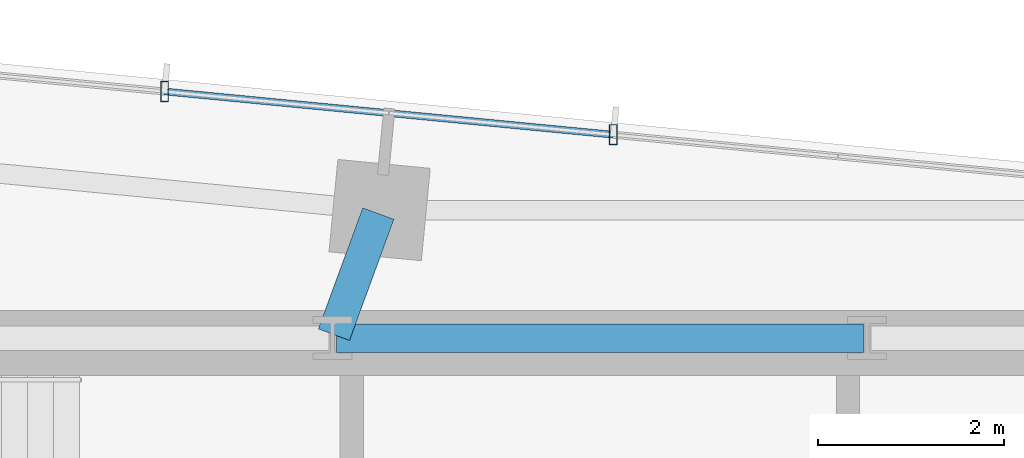
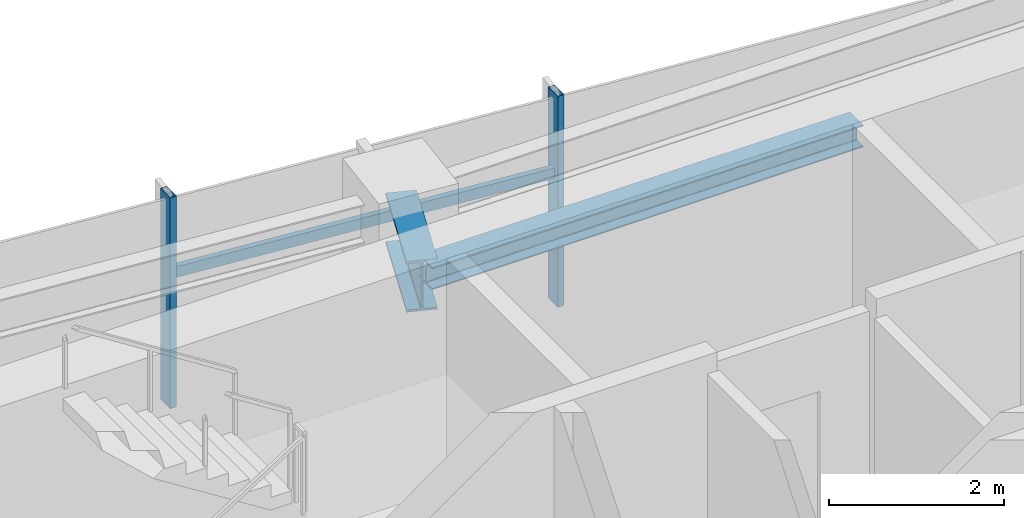
# One storey, part 8 of 20: 3 members, 2 beams, 1 element without a shape of its own.
"""IFC4 building model written with IfcOpenShell, lengths in metres."""

from ifc_helpers import new_model, si_unit, direction, frame, origin, origin_2d, place, context, subcontext, project, spatial, hollow_rectangle, i_section, extrude, source, transform, mapped, material, material_profile, profile_set, type_object, type_shapes, element, aggregate, save


model = new_model("IFC4")

# Units and contexts
model_context = context("Model", 3, precision=1e-05, world=origin(), true_north=direction((0.0, 1.0)))
body_context = subcontext(model_context, "Body", "Model", "MODEL_VIEW")
ifc_project = project(units=[si_unit("LENGTHUNIT", "METRE"), si_unit("AREAUNIT", "SQUARE_METRE"), si_unit("VOLUMEUNIT", "CUBIC_METRE"), si_unit("PLANEANGLEUNIT", "RADIAN"), si_unit("MASSUNIT", "GRAM", prefix="KILO")], contexts=[model_context])

# Site, building, storey
site_placement = place(None, origin())
site = spatial("IfcSite", under=ifc_project, at=site_placement, CompositionType="ELEMENT")
building_placement = place(site_placement, origin())
building = spatial("IfcBuilding", under=site, at=building_placement, Name="Astriad Promenade Condominiums", CompositionType="ELEMENT")
storey_placement = place(building_placement, frame((0.0, 0.0, 134.199951171875)))
storey = spatial("IfcBuildingStorey", under=building, at=storey_placement, Name="L38", CompositionType="ELEMENT", Elevation=134.199951171875)

# Beams
ifc_material_1 = material(Name="Steel ASTM A992 Grade 50", Category="steel")
ifc_material_profile_1 = material_profile(ifc_material_1, i_section(OverallWidth=0.3046875, OverallDepth=0.307861328125, WebThickness=0.010009765625, FlangeThickness=0.015380859375, FilletRadius=0.01513671875, at=origin_2d()), Name="W12X65")
ifc_profile_set_1 = profile_set([ifc_material_profile_1], Name="Steel ASTM A992 Grade 50")
beam_type_1 = type_object("IfcBeamType", Name="STEEL OPENING LINTEL W12X65", PredefinedType="LINTEL", material=ifc_profile_set_1)
shared_shape_1 = source(origin(), body_context, "Body", "SweptSolid", [
    extrude(i_section(OverallWidth=0.3046875, OverallDepth=0.307861328125, WebThickness=0.010009765625, FlangeThickness=0.015380859375, FilletRadius=0.01513671875, at=origin_2d()), origin(), (0.0, 0.0, 1.0), 5.68017578125),
])
type_shapes(beam_type_1, [shared_shape_1])
beam_1_placement = place(storey_placement, frame((33.159912109375, 24.0, 2.7861328125), z_axis=(1.0, 0.0, 0.0), x_axis=(0.0, 1.0, 0.0)))
element("IfcBeam", 1, at=beam_1_placement, inside=storey, type_object=beam_type_1, Name="Core Ring Beam CG-N2-L38", PredefinedType="LINTEL", context=body_context, shape_type="MappedRepresentation", body=[
    mapped(shared_shape_1, transform((0.0, 0.0, 0.0), scale=1.0)),
])
ifc_material_profile_2 = material_profile(ifc_material_1, i_section(OverallWidth=0.35791015625, OverallDepth=0.706298828125, WebThickness=0.018310546875, FlangeThickness=0.0302734375, FilletRadius=0.020263671875, at=origin_2d()), Name="W27X178")
ifc_profile_set_2 = profile_set([ifc_material_profile_2], Name="Steel ASTM A992 Grade 50")
beam_type_2 = type_object("IfcBeamType", Name="STEEL FLOOR GIRDER W27X178", PredefinedType="BEAM", material=ifc_profile_set_2)
shared_shape_2 = source(origin(), body_context, "Body", "SweptSolid", [
    extrude(i_section(OverallWidth=0.35791015625, OverallDepth=0.706298828125, WebThickness=0.018310546875, FlangeThickness=0.0302734375, FilletRadius=0.020263671875, at=origin_2d()), origin(), (0.0, 0.0, 1.0), 1.39013671875),
])
type_shapes(beam_type_2, [shared_shape_2])
beam_2_placement = place(storey_placement, frame((33.6123046875, 25.3427734375, 2.5869140625), z_axis=(-0.344223686797, -0.938887668173, 0.0), x_axis=(0.938887668173, -0.344223686797, 0.0)))
element("IfcBeam", 2, at=beam_2_placement, inside=storey, type_object=beam_type_2, Name="Primary Floor Girder PG-NC-L38", PredefinedType="BEAM", context=body_context, shape_type="MappedRepresentation", body=[
    mapped(shared_shape_2, transform((0.0, 0.0, 0.0), scale=1.0)),
])

# Curtain wall, members
ifc_material_2 = material(Name="Anodised aluminium Black Dark Glass Unitised", Category="aluminium")
curtain_wall_type = type_object("IfcCurtainWallType", Name="CW-B34-DARK", PredefinedType="USERDEFINED", material=ifc_material_2)
curtain_wall_placement = place(storey_placement, origin())
curtain_wall = element("IfcCurtainWall", 3, at=curtain_wall_placement, inside=storey, type_object=curtain_wall_type, Name="CW-L38-N", ObjectType="UNITISED_CURTAIN_WALL", PredefinedType="USERDEFINED")
ifc_material_3 = material(Name="Anodised aluminium 6063-T6 Black", Category="aluminium")
ifc_material_profile_3 = material_profile(ifc_material_3, hollow_rectangle(XDim=0.0849609375, YDim=0.219970703125, WallThickness=0.0048828125, at=origin_2d()), Name="ALU-MUL-85X220")
ifc_profile_set_3 = profile_set([ifc_material_profile_3], Name="Anodised aluminium 6063-T6 Black")
member_type_1 = type_object("IfcMemberType", Name="MUL-ALU-MUL-85X220", PredefinedType="MULLION", material=ifc_profile_set_3)
shared_shape_3 = source(origin(), body_context, "Body", "SweptSolid", [
    extrude(hollow_rectangle(XDim=0.0849609375, YDim=0.219970703125, WallThickness=0.0048828125, at=origin_2d()), origin(), (0.0, 0.0, 1.0), 2.93994140625),
])
type_shapes(member_type_1, [shared_shape_3])
member_1_placement = place(storey_placement, frame((31.30810546875, 26.658447265625, 0.0), z_axis=(0.0, 0.0, 1.0), x_axis=(1.0, 0.0, 0.0)))
member_1 = element("IfcMember", 4, at=member_1_placement, type_object=member_type_1, Name="CW-L38-N-MUL-01", PredefinedType="MULLION", context=body_context, shape_type="MappedRepresentation", body=[
    mapped(shared_shape_3, transform((0.0, 0.0, 0.0), scale=1.0)),
])
member_2_placement = place(storey_placement, frame((36.145751953125, 26.1923828125, 0.0), z_axis=(0.0, 0.0, 1.0), x_axis=(1.0, 0.0, 0.0)))
member_2 = element("IfcMember", 5, at=member_2_placement, type_object=member_type_1, Name="CW-L38-N-MUL-02", PredefinedType="MULLION", context=body_context, shape_type="MappedRepresentation", body=[
    mapped(shared_shape_3, transform((0.0, 0.0, 0.0), scale=1.0)),
])
ifc_material_profile_4 = material_profile(ifc_material_3, hollow_rectangle(XDim=0.074951171875, YDim=0.14990234375, WallThickness=0.004150390625, at=origin_2d()), Name="ALU-TRN-75X150")
ifc_profile_set_4 = profile_set([ifc_material_profile_4], Name="Anodised aluminium 6063-T6 Black")
member_type_2 = type_object("IfcMemberType", Name="TRN-ALU-TRN-75X150", PredefinedType="USERDEFINED", material=ifc_profile_set_4)
shared_shape_4 = source(origin(), body_context, "Body", "SweptSolid", [
    extrude(hollow_rectangle(XDim=0.074951171875, YDim=0.14990234375, WallThickness=0.004150390625, at=origin_2d()), origin(), (0.0, 0.0, 1.0), 4.860107421875),
])
type_shapes(member_type_2, [shared_shape_4])
member_3_placement = place(storey_placement, frame((31.30810546875, 26.658447265625, 1.82275390625), z_axis=(0.995391248663, -0.09589714326, 0.0), x_axis=(0.09589714326, 0.995391248663, 0.0)))
member_3 = element("IfcMember", 6, at=member_3_placement, type_object=member_type_2, Name="CW-L38-N-TRN-01-0", ObjectType="TRANSOM", PredefinedType="USERDEFINED", context=body_context, shape_type="MappedRepresentation", body=[
    mapped(shared_shape_4, transform((0.0, 0.0, 0.0), scale=1.0)),
])
aggregate(curtain_wall, [member_1, member_2, member_3])

save(model, "model.ifc")
